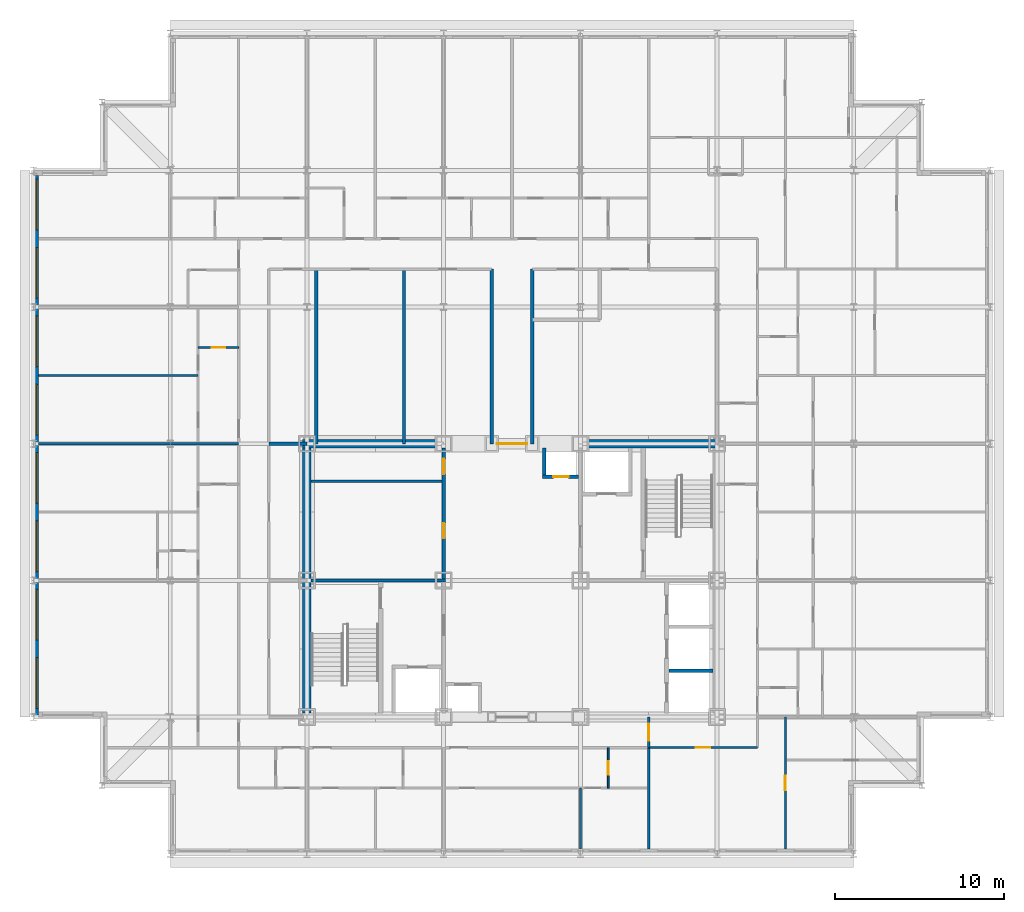
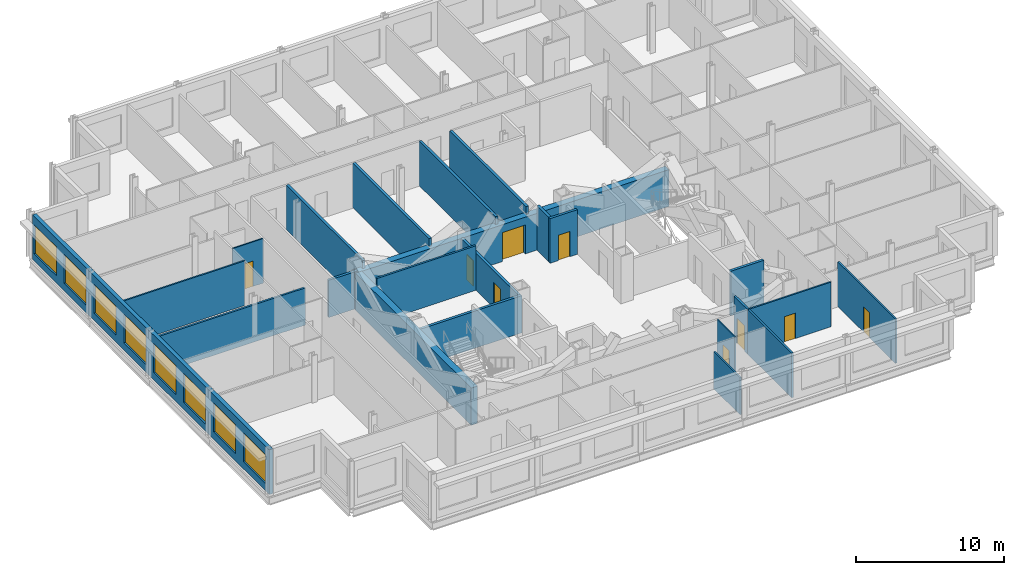
# One storey, part 9 of 15: 23 walls, 9 doors, 8 windows, 17 openings.
"""IFC4 building model written with IfcOpenShell, lengths in metres."""

import ifcopenshell
import ifcopenshell.guid

model = None  # the IFC model being written
_history = None  # IfcOwnerHistory: only IFC2X3 demands one
_inside = {}  # id of a spatial element -> (the spatial element, [elements in it])
_under = {}  # id of a project, library or spatial element -> (it, [spatial elements below it])
_declared = {}  # id of a project -> (the project, [libraries it declares])
_typed = {}  # id of a type object -> (the type object, [elements of that type])
_made_of = {}  # id of a material, layer set ... -> (it, [elements and type objects made of it])


def new_model(schema):
    """Start an empty IFC model of exactly this schema.

    Asked for "IFC4X3", IfcOpenShell would pick the latest addendum, in which some entities
    have other attributes; the version numbers below select the first issue.
    IFC2X3 requires an IfcOwnerHistory on every rooted entity: one is made here for all.
    """
    global model, _history
    if schema == "IFC4X3":
        model = ifcopenshell.file(schema_version=(4, 3, 0, 0))
    else:
        model = ifcopenshell.file(schema=schema)
    _inside.clear()
    _under.clear()
    _declared.clear()
    _typed.clear()
    _made_of.clear()
    _history = None
    if model.schema == "IFC2X3":
        org = make("IfcOrganization", Name="unknown")
        user = make(
            "IfcPersonAndOrganization",
            ThePerson=make("IfcPerson", FamilyName="unknown"),
            TheOrganization=org,
        )
        app = make(
            "IfcApplication",
            ApplicationDeveloper=org,
            Version="unknown",
            ApplicationFullName="unknown",
            ApplicationIdentifier="unknown",
        )
        _history = make(
            "IfcOwnerHistory",
            OwningUser=user,
            OwningApplication=app,
            ChangeAction="ADDED",
            CreationDate=0,
        )
    return model


def make(cls, **values):
    """One entity of the class cls with the attributes given. An attribute that is None is left unset."""
    return model.create_entity(
        cls, **{name: value for name, value in values.items() if value is not None}
    )


def rooted(cls, **values):
    """An entity with a GlobalId (a new one), such as an element, a storey or a relation."""
    return make(cls, GlobalId=ifcopenshell.guid.new(), OwnerHistory=_history, **values)


def si_unit(unit_type, name, prefix=None):
    """IfcSIUnit, for example si_unit("LENGTHUNIT", "METRE", prefix="MILLI")."""
    return make("IfcSIUnit", UnitType=unit_type, Prefix=prefix, Name=name)


def assignment(units):
    """IfcUnitAssignment: the units of a project."""
    return None if units is None else make("IfcUnitAssignment", Units=units)


def point(xyz):
    """IfcCartesianPoint."""
    return None if xyz is None else make("IfcCartesianPoint", Coordinates=xyz)


def direction(xyz):
    """IfcDirection."""
    return None if xyz is None else make("IfcDirection", DirectionRatios=xyz)


def frame(location, z_axis=None, x_axis=None):
    """IfcAxis2Placement3D, a coordinate frame: its origin and axes. An axis left out is left unset."""
    return make(
        "IfcAxis2Placement3D",
        Location=point(location),
        Axis=direction(z_axis),
        RefDirection=direction(x_axis),
    )


def frame_2d(location, x_axis=None):
    """IfcAxis2Placement2D, a coordinate frame in the plane: its origin and x axis."""
    return make(
        "IfcAxis2Placement2D", Location=point(location), RefDirection=direction(x_axis)
    )


def origin():
    """The frame at (0, 0, 0) with its axes left unset."""
    return frame((0.0, 0.0, 0.0))


def place(relative_to, where):
    """IfcLocalPlacement: puts the frame where relative to a parent placement (None: the world)."""
    return make(
        "IfcLocalPlacement", PlacementRelTo=relative_to, RelativePlacement=where
    )


def context(
    kind, dimensions, precision=None, world=None, true_north=None, identifier=None
):
    """IfcGeometricRepresentationContext, for example the 3D "Model" context."""
    return make(
        "IfcGeometricRepresentationContext",
        ContextIdentifier=identifier,
        ContextType=kind,
        CoordinateSpaceDimension=dimensions,
        Precision=precision,
        WorldCoordinateSystem=world,
        TrueNorth=true_north,
    )


def subcontext(parent, identifier, kind, view, scale=None):
    """IfcGeometricRepresentationSubContext, for example "Body" below "Model"."""
    return make(
        "IfcGeometricRepresentationSubContext",
        ContextIdentifier=identifier,
        ContextType=kind,
        ParentContext=parent,
        TargetScale=scale,
        TargetView=view,
    )


def project(units=None, contexts=None):
    """IfcProject with its units and contexts."""
    return rooted(
        "IfcProject",
        Name="project",
        RepresentationContexts=contexts,
        UnitsInContext=assignment(units),
    )


def spatial(cls, under=None, at=None, **own):
    """A site, building, storey or space (cls), placed at a placement, below another one or the project."""
    s = rooted(cls, ObjectPlacement=at, **own)
    if under is not None:
        _under.setdefault(under.id(), (under, []))[1].append(s)
    return s


def profile(cls, at=None, kind="AREA", **sizes):
    """A parametric profile (cls). Its sizes go by their IFC names, for example OverallWidth=200.0."""
    return make(cls, ProfileType=kind, Position=at, **sizes)


def rectangle(**sizes):
    """IfcRectangleProfileDef."""
    return profile("IfcRectangleProfileDef", **sizes)


def extrude(swept, where, along, depth):
    """IfcExtrudedAreaSolid: the profile swept, set in the frame where, extruded along a direction by depth."""
    return make(
        "IfcExtrudedAreaSolid",
        SweptArea=swept,
        Position=where,
        ExtrudedDirection=direction(along),
        Depth=depth,
    )


def shape(context_of_items, identifier, shape_type, items):
    """IfcShapeRepresentation: the items that make up one representation, for example the "Body"."""
    return make(
        "IfcShapeRepresentation",
        ContextOfItems=context_of_items,
        RepresentationIdentifier=identifier,
        RepresentationType=shape_type,
        Items=items,
    )


def material(Name=None, Category=None):
    """IfcMaterial."""
    return make("IfcMaterial", Name=Name, Category=Category)


def layer(
    of_material, thickness, ventilated=None, Name=None, Category=None, Priority=None
):
    """IfcMaterialLayer: one layer of a wall or slab, of a material (None: an air gap)."""
    return make(
        "IfcMaterialLayer",
        Material=of_material,
        LayerThickness=thickness,
        IsVentilated=ventilated,
        Name=Name,
        Category=Category,
        Priority=Priority,
    )


def layer_set(layers, Name=None):
    """IfcMaterialLayerSet."""
    return make("IfcMaterialLayerSet", MaterialLayers=layers, LayerSetName=Name)


def made_of(thing, what):
    """Note that an element or type object is made of a material, layer set ...; save() writes the relation."""
    if what is not None:
        _made_of.setdefault(what.id(), (what, []))[1].append(thing)
    return thing


def type_object(cls, material=None, **own):
    """A type object (cls), such as IfcWallType, which elements share."""
    return made_of(rooted(cls, **own), material)


def element(
    cls,
    number,
    at=None,
    inside=None,
    cuts=None,
    type_object=None,
    material=None,
    context=None,
    identifier="Body",
    shape_type=None,
    held_by="IfcProductDefinitionShape",
    body=None,
    shapes=None,
    **own,
):
    """One element of the class cls, such as IfcWall. Its Tag is "e" and its number.

    at: its placement. inside: the storey or other place that contains it. cuts: it is an
    opening in that element (IfcRelVoidsElement). A single representation is given by context,
    identifier, shape_type and body (its items); several are given by shapes. held_by: the class
    of the entity that holds the representations. save() writes the other relations.
    """
    e = rooted(cls, Tag="e%d" % number, ObjectPlacement=at, **own)
    if body is not None:
        shapes = [shape(context, identifier, shape_type, body)]
    if shapes is not None:
        e.Representation = make(held_by, Representations=shapes)
    if inside is not None:
        _inside.setdefault(inside.id(), (inside, []))[1].append(e)
    if cuts is not None:
        rooted(
            "IfcRelVoidsElement", RelatingBuildingElement=cuts, RelatedOpeningElement=e
        )
    if type_object is not None:
        _typed.setdefault(type_object.id(), (type_object, []))[1].append(e)
    return made_of(e, material)


def fill(opening, filler):
    """IfcRelFillsElement: the door or window that sits in an opening."""
    return rooted(
        "IfcRelFillsElement",
        RelatingOpeningElement=opening,
        RelatedBuildingElement=filler,
    )


def aggregate(whole, parts):
    """IfcRelAggregates: a whole, such as a stair, and the parts it consists of."""
    return rooted("IfcRelAggregates", RelatingObject=whole, RelatedObjects=parts)


def save(model, path):
    """Write the relations noted so far, then the file.

    IfcRelAggregates (storeys below a building ...), IfcRelContainedInSpatialStructure (elements
    in a storey), IfcRelDefinesByType, IfcRelAssociatesMaterial and IfcRelDeclares: one each for
    every whole, place, type object, material and project.
    """
    for whole, parts in _under.values():
        aggregate(whole, parts)
    for where, things in _inside.values():
        rooted(
            "IfcRelContainedInSpatialStructure",
            RelatedElements=things,
            RelatingStructure=where,
        )
    for kind, things in _typed.values():
        rooted("IfcRelDefinesByType", RelatedObjects=things, RelatingType=kind)
    for what, things in _made_of.values():
        rooted("IfcRelAssociatesMaterial", RelatedObjects=things, RelatingMaterial=what)
    for by, libraries in _declared.values():
        rooted("IfcRelDeclares", RelatingContext=by, RelatedDefinitions=libraries)
    model.write(path)


model = new_model("IFC4")

# Units and contexts
model_context = context("Model", 3, precision=1e-05, world=origin(), true_north=direction((0.0, 1.0)))
body_context = subcontext(model_context, "Body", "Model", "MODEL_VIEW")
ifc_project = project(units=[si_unit("LENGTHUNIT", "METRE"), si_unit("AREAUNIT", "SQUARE_METRE"), si_unit("VOLUMEUNIT", "CUBIC_METRE"), si_unit("PLANEANGLEUNIT", "RADIAN"), si_unit("MASSUNIT", "GRAM", prefix="KILO")], contexts=[model_context])

# Site, building, storey
site_placement = place(None, origin())
site = spatial("IfcSite", under=ifc_project, at=site_placement, CompositionType="ELEMENT")
building_placement = place(site_placement, origin())
building = spatial("IfcBuilding", under=site, at=building_placement, Name="Kopane Lantern Tower", CompositionType="ELEMENT")
storey_placement = place(building_placement, frame((0.0, 0.0, 273.60009765625)))
storey = spatial("IfcBuildingStorey", under=building, at=storey_placement, Name="L70", CompositionType="ELEMENT", Elevation=273.60009765625)

# Walls
ifc_material_1 = material(Name="Gypsum board on steel studs", Category="steel")
ifc_layer_1 = layer(ifc_material_1, 0.1201171875)
ifc_layer_set_1 = layer_set([ifc_layer_1], Name="APARTMENT INTERNAL WALL 120")
wall_type_1 = type_object("IfcWallType", Name="APARTMENT INTERNAL WALL 120", PredefinedType="PARTITIONING", material=ifc_layer_set_1)
wall_1_placement = place(storey_placement, frame((32.39990234375, 20.10009765625, 0.0), z_axis=(0.0, 0.0, 1.0), x_axis=(0.0, -1.0, 0.0)))
element("IfcWall", 1, at=wall_1_placement, inside=storey, type_object=wall_type_1, Name="Apartment Internal Wall 120 L70", PredefinedType="PARTITIONING", context=body_context, shape_type="SweptSolid", body=[
    extrude(rectangle(XDim=3.60009765625, YDim=0.1201171875, at=frame_2d((1.800048828125, 0.0))), origin(), (0.0, 0.0, 1.0), 3.07763671875),
])
wall_2_placement = place(storey_placement, frame((9.75, 44.550048828125, 0.0), z_axis=(0.0, 0.0, 1.0), x_axis=(-1.0, 0.0, 0.0)))
element("IfcWall", 2, at=wall_2_placement, inside=storey, type_object=wall_type_1, Name="Apartment Internal Wall 120 L70", PredefinedType="PARTITIONING", context=body_context, shape_type="SweptSolid", body=[
    extrude(rectangle(XDim=9.449951171875, YDim=0.1201171875, at=frame_2d((4.72509765625, 0.0))), origin(), (0.0, 0.0, 1.0), 3.68994140625),
])

# Wall, opening, door
wall_3_placement = place(storey_placement, frame((36.449951171875, 22.5, 0.0), z_axis=(0.0, 0.0, 1.0), x_axis=(1.0, 0.0, 0.0)))
wall_3 = element("IfcWall", 3, at=wall_3_placement, inside=storey, type_object=wall_type_1, Name="Apartment Internal Wall 120 L70", PredefinedType="PARTITIONING", context=body_context, shape_type="SweptSolid", body=[
    extrude(rectangle(XDim=6.449951171875, YDim=0.1201171875, at=frame_2d((3.22509765625, 0.0))), origin(), (0.0, 0.0, 1.0), 3.68994140625),
])
opening_1_placement = place(wall_3_placement, frame((2.800048828125, 0.0, 0.0)))
opening_1 = element("IfcOpeningElement", 4, at=opening_1_placement, cuts=wall_3, Name="Opening L70-047", PredefinedType="OPENING", context=body_context, shape_type="SweptSolid", body=[
    extrude(rectangle(XDim=0.85009765625, YDim=2.10009765625, at=frame_2d((0.425048828125, 1.050048828125))), frame((0.0, 0.070068359375, 0.0), z_axis=(0.0, -1.0, 0.0), x_axis=(1.0, 0.0, 0.0)), (0.0, 0.0, 1.0), 0.14013671875),
])
ifc_material_2 = material(Name="Timber door set", Category="wood")
door_type_1 = type_object("IfcDoorType", Name="DOOR D4 850x2100", OperationType="SINGLE_SWING_LEFT", PredefinedType="DOOR", material=ifc_material_2)
door_1_placement = place(opening_1_placement, origin())
door_1 = element("IfcDoor", 5, at=door_1_placement, inside=storey, type_object=door_type_1, Name="Door L70-047", OperationType="SINGLE_SWING_RIGHT", OverallHeight=2.10009765625, OverallWidth=0.85009765625, PredefinedType="DOOR", context=body_context, shape_type="SweptSolid", body=[
    extrude(rectangle(XDim=0.85009765625, YDim=2.10009765625, at=frame_2d((0.425048828125, 1.050048828125))), frame((0.0, 0.02490234375, 0.0), z_axis=(0.0, -1.0, 0.0), x_axis=(1.0, 0.0, 0.0)), (0.0, 0.0, 1.0), 0.050048828125),
])
fill(opening_1, door_1)

wall_4_placement = place(storey_placement, frame((44.550048828125, 16.5, 0.0), z_axis=(0.0, 0.0, 1.0), x_axis=(0.0, 1.0, 0.0)))
wall_4 = element("IfcWall", 6, at=wall_4_placement, inside=storey, type_object=wall_type_1, Name="Apartment Internal Wall 120 L70", PredefinedType="PARTITIONING", context=body_context, shape_type="SweptSolid", body=[
    extrude(rectangle(XDim=7.800048828125, YDim=0.1201171875, at=frame_2d((3.89990234375, 0.0))), origin(), (0.0, 0.0, 1.0), 3.68994140625),
])
opening_2_placement = place(wall_4_placement, frame((3.47509765625, 0.0, 0.0)))
opening_2 = element("IfcOpeningElement", 7, at=opening_2_placement, cuts=wall_4, Name="Opening L70-048", PredefinedType="OPENING", context=body_context, shape_type="SweptSolid", body=[
    extrude(rectangle(XDim=0.85009765625, YDim=2.10009765625, at=frame_2d((0.425048828125, 1.050048828125))), frame((0.0, 0.070068359375, 0.0), z_axis=(0.0, -1.0, 0.0), x_axis=(1.0, 0.0, 0.0)), (0.0, 0.0, 1.0), 0.14013671875),
])
door_2_placement = place(opening_2_placement, origin())
door_2 = element("IfcDoor", 8, at=door_2_placement, inside=storey, type_object=door_type_1, Name="Door L70-048", OperationType="SINGLE_SWING_LEFT", OverallHeight=2.10009765625, OverallWidth=0.85009765625, PredefinedType="DOOR", context=body_context, shape_type="SweptSolid", body=[
    extrude(rectangle(XDim=0.85009765625, YDim=2.10009765625, at=frame_2d((0.425048828125, 1.050048828125))), frame((0.0, 0.02490234375, 0.0), z_axis=(0.0, -1.0, 0.0), x_axis=(1.0, 0.0, 0.0)), (0.0, 0.0, 1.0), 0.050048828125),
])
fill(opening_2, door_2)

ifc_material_3 = material(Name="Moisture-resistant board on steel studs", Category="steel")
ifc_layer_2 = layer(ifc_material_3, 0.10009765625)
ifc_layer_set_2 = layer_set([ifc_layer_2], Name="BATHROOM WALL 100")
wall_type_2 = type_object("IfcWallType", Name="BATHROOM WALL 100", PredefinedType="PARTITIONING", material=ifc_layer_set_2)
wall_5_placement = place(storey_placement, frame((34.050048828125, 22.5, 0.0), z_axis=(0.0, 0.0, 1.0), x_axis=(0.0, -1.0, 0.0)))
wall_5 = element("IfcWall", 9, at=wall_5_placement, inside=storey, type_object=wall_type_2, Name="Bathroom Wall 100 L70", PredefinedType="PARTITIONING", context=body_context, shape_type="SweptSolid", body=[
    extrude(rectangle(XDim=2.39990234375, YDim=0.10009765625, at=frame_2d((1.199951171875, 0.0))), origin(), (0.0, 0.0, 1.0), 3.68994140625),
])
opening_3_placement = place(wall_5_placement, frame((0.800048828125, 0.0, 0.0)))
opening_3 = element("IfcOpeningElement", 10, at=opening_3_placement, cuts=wall_5, Name="Opening L70-012", PredefinedType="OPENING", context=body_context, shape_type="SweptSolid", body=[
    extrude(rectangle(XDim=0.800048828125, YDim=2.10009765625, at=frame_2d((0.39990234375, 1.050048828125))), frame((0.0, 0.06005859375, 0.0), z_axis=(0.0, -1.0, 0.0), x_axis=(1.0, 0.0, 0.0)), (0.0, 0.0, 1.0), 0.1201171875),
])
ifc_material_4 = material(Name="Timber door set", Category="wood")
door_type_2 = type_object("IfcDoorType", Name="DOOR D2 800x2100", OperationType="SINGLE_SWING_LEFT", PredefinedType="DOOR", material=ifc_material_4)
door_3_placement = place(opening_3_placement, origin())
door_3 = element("IfcDoor", 11, at=door_3_placement, inside=storey, type_object=door_type_2, Name="Door L70-012", OperationType="SINGLE_SWING_LEFT", OverallHeight=2.10009765625, OverallWidth=0.800048828125, PredefinedType="DOOR", context=body_context, shape_type="SweptSolid", body=[
    extrude(rectangle(XDim=0.800048828125, YDim=2.10009765625, at=frame_2d((0.39990234375, 1.050048828125))), frame((0.0, 0.02490234375, 0.0), z_axis=(0.0, -1.0, 0.0), x_axis=(1.0, 0.0, 0.0)), (0.0, 0.0, 1.0), 0.050048828125),
])
fill(opening_3, door_3)

wall_6_placement = place(storey_placement, frame((12.14990234375, 46.199951171875, 0.0), z_axis=(0.0, 0.0, 1.0), x_axis=(-1.0, 0.0, 0.0)))
wall_6 = element("IfcWall", 12, at=wall_6_placement, inside=storey, type_object=wall_type_2, Name="Bathroom Wall 100 L70", PredefinedType="PARTITIONING", context=body_context, shape_type="SweptSolid", body=[
    extrude(rectangle(XDim=2.39990234375, YDim=0.10009765625, at=frame_2d((1.199951171875, 0.0))), origin(), (0.0, 0.0, 1.0), 3.68994140625),
])
opening_4_placement = place(wall_6_placement, frame((0.800048828125, 0.0, 0.0)))
opening_4 = element("IfcOpeningElement", 13, at=opening_4_placement, cuts=wall_6, Name="Opening L70-032", PredefinedType="OPENING", context=body_context, shape_type="SweptSolid", body=[
    extrude(rectangle(XDim=0.800048828125, YDim=2.10009765625, at=frame_2d((0.39990234375, 1.050048828125))), frame((0.0, 0.06005859375, 0.0), z_axis=(0.0, -1.0, 0.0), x_axis=(1.0, 0.0, 0.0)), (0.0, 0.0, 1.0), 0.1201171875),
])
door_4_placement = place(opening_4_placement, origin())
door_4 = element("IfcDoor", 14, at=door_4_placement, inside=storey, type_object=door_type_2, Name="Door L70-032", OperationType="SINGLE_SWING_RIGHT", OverallHeight=2.10009765625, OverallWidth=0.800048828125, PredefinedType="DOOR", context=body_context, shape_type="SweptSolid", body=[
    extrude(rectangle(XDim=0.800048828125, YDim=2.10009765625, at=frame_2d((0.39990234375, 1.050048828125))), frame((0.0, 0.02490234375, 0.0), z_axis=(0.0, -1.0, 0.0), x_axis=(1.0, 0.0, 0.0)), (0.0, 0.0, 1.0), 0.050048828125),
])
fill(opening_4, door_4)

ifc_material_5 = material(Name="Gypsum shaft wall EI 120", Category="gypsum")
ifc_layer_3 = layer(ifc_material_5, 0.5)
ifc_layer_set_3 = layer_set([ifc_layer_3], Name="CORE PERIMETER WALL 500 EI 120")
wall_type_3 = type_object("IfcWallType", Name="CORE PERIMETER WALL 500 EI 120", PredefinedType="SOLIDWALL", material=ifc_layer_set_3)
wall_7_placement = place(storey_placement, frame((15.949951171875, 40.5, 0.0), z_axis=(0.0, 0.0, 1.0), x_axis=(1.0, 0.0, 0.0)))
wall_7 = element("IfcWall", 15, at=wall_7_placement, inside=storey, type_object=wall_type_3, Name="Core shaft wall L70 PN", PredefinedType="SOLIDWALL", context=body_context, shape_type="SweptSolid", body=[
    extrude(rectangle(XDim=24.550048828125, YDim=0.5, at=frame_2d((12.27490234375, 0.0))), origin(), (0.0, 0.0, 1.0), 3.039794921875),
])
opening_5_placement = place(wall_7_placement, frame((11.5, 0.0, 0.0)))
opening_5 = element("IfcOpeningElement", 16, at=opening_5_placement, cuts=wall_7, Name="Opening 70.CE-N", PredefinedType="OPENING", context=body_context, shape_type="SweptSolid", body=[
    extrude(rectangle(XDim=1.800048828125, YDim=2.39990234375, at=frame_2d((0.89990234375, 1.199951171875))), frame((0.0, 0.260009765625, 0.0), z_axis=(0.0, -1.0, 0.0), x_axis=(1.0, 0.0, 0.0)), (0.0, 0.0, 1.0), 0.52001953125),
])
ifc_material_6 = material(Name="Steel door set", Category="steel")
door_type_3 = type_object("IfcDoorType", Name="CORE ENTRY DOOR 1800x2400 FD60S", OperationType="DOUBLE_DOOR_SINGLE_SWING", PredefinedType="DOOR", material=ifc_material_6)
door_5_placement = place(opening_5_placement, origin())
door_5 = element("IfcDoor", 17, at=door_5_placement, inside=storey, type_object=door_type_3, Name="Core entry door L70 north", OperationType="DOUBLE_DOOR_SINGLE_SWING", OverallHeight=2.39990234375, OverallWidth=1.800048828125, PredefinedType="DOOR", context=body_context, shape_type="SweptSolid", body=[
    extrude(rectangle(XDim=1.800048828125, YDim=2.39990234375, at=frame_2d((0.89990234375, 1.199951171875))), frame((0.0, 0.02490234375, 0.0), z_axis=(0.0, -1.0, 0.0), x_axis=(1.0, 0.0, 0.0)), (0.0, 0.0, 1.0), 0.050048828125),
])
fill(opening_5, door_5)

# Walls
wall_8_placement = place(storey_placement, frame((16.199951171875, 24.550048828125, 0.0), z_axis=(0.0, 0.0, 1.0), x_axis=(0.0, 1.0, 0.0)))
element("IfcWall", 18, at=wall_8_placement, inside=storey, type_object=wall_type_3, Name="Core shaft wall L70 PW", PredefinedType="SOLIDWALL", context=body_context, shape_type="SweptSolid", body=[
    extrude(rectangle(XDim=15.699951171875, YDim=0.5, at=frame_2d((7.85009765625, 0.0))), origin(), (0.0, 0.0, 1.0), 3.07763671875),
])
ifc_material_7 = material(Name="Gypsum partition EI 60", Category="gypsum")
ifc_layer_4 = layer(ifc_material_7, 0.14990234375)
ifc_layer_set_4 = layer_set([ifc_layer_4], Name="CORE ROOM PARTITION 150 EI 60")
wall_type_4 = type_object("IfcWallType", Name="CORE ROOM PARTITION 150 EI 60", PredefinedType="PARTITIONING", material=ifc_layer_set_4)
wall_9_placement = place(storey_placement, frame((16.449951171875, 38.27490234375, 0.0), z_axis=(0.0, 0.0, 1.0), x_axis=(1.0, 0.0, 0.0)))
element("IfcWall", 19, at=wall_9_placement, inside=storey, type_object=wall_type_4, Name="Core room partition L70 WW1", PredefinedType="PARTITIONING", context=body_context, shape_type="SweptSolid", body=[
    extrude(rectangle(XDim=7.75, YDim=0.14990234375, at=frame_2d((3.875, 0.0))), origin(), (0.0, 0.0, 1.0), 3.68994140625),
])

# Wall, openings, doors
ifc_material_8 = material(Name="Gypsum partition EI 60", Category="gypsum")
ifc_layer_5 = layer(ifc_material_8, 0.199951171875)
ifc_layer_set_5 = layer_set([ifc_layer_5], Name="CORE ROOM WALL 200 EI 60")
wall_type_5 = type_object("IfcWallType", Name="CORE ROOM WALL 200 EI 60", PredefinedType="PARTITIONING", material=ifc_layer_set_5)
wall_10_placement = place(storey_placement, frame((24.300048828125, 32.5, 0.0), z_axis=(0.0, 0.0, 1.0), x_axis=(0.0, 1.0, 0.0)))
wall_10 = element("IfcWall", 20, at=wall_10_placement, inside=storey, type_object=wall_type_5, Name="Core room wall L70 XW", PredefinedType="PARTITIONING", context=body_context, shape_type="SweptSolid", body=[
    extrude(rectangle(XDim=7.75, YDim=0.199951171875, at=frame_2d((3.875, 0.0))), origin(), (0.0, 0.0, 1.0), 3.07763671875),
])
opening_6_placement = place(wall_10_placement, frame((2.39990234375, 0.0, 0.0)))
opening_6 = element("IfcOpeningElement", 21, at=opening_6_placement, cuts=wall_10, Name="Opening 70.C30", PredefinedType="OPENING", context=body_context, shape_type="SweptSolid", body=[
    extrude(rectangle(XDim=0.89990234375, YDim=2.10009765625, at=frame_2d((0.449951171875, 1.050048828125))), frame((0.0, 0.10986328125, 0.0), z_axis=(0.0, -1.0, 0.0), x_axis=(1.0, 0.0, 0.0)), (0.0, 0.0, 1.0), 0.219970703125),
])
opening_7_placement = place(wall_10_placement, frame((6.199951171875, 0.0, 0.0)))
opening_7 = element("IfcOpeningElement", 22, at=opening_7_placement, cuts=wall_10, Name="Opening 70.C31", PredefinedType="OPENING", context=body_context, shape_type="SweptSolid", body=[
    extrude(rectangle(XDim=0.89990234375, YDim=2.10009765625, at=frame_2d((0.449951171875, 1.050048828125))), frame((0.0, 0.10986328125, 0.0), z_axis=(0.0, -1.0, 0.0), x_axis=(1.0, 0.0, 0.0)), (0.0, 0.0, 1.0), 0.219970703125),
])
ifc_material_9 = material(Name="Steel door set", Category="steel")
door_type_4 = type_object("IfcDoorType", Name="CORE ROOM DOOR 900x2100 FD60", OperationType="SINGLE_SWING_LEFT", PredefinedType="DOOR", material=ifc_material_9)
door_6_placement = place(opening_6_placement, origin())
door_6 = element("IfcDoor", 23, at=door_6_placement, inside=storey, type_object=door_type_4, Name="Door Residents storage L70", OperationType="SINGLE_SWING_LEFT", OverallHeight=2.10009765625, OverallWidth=0.89990234375, PredefinedType="DOOR", context=body_context, shape_type="SweptSolid", body=[
    extrude(rectangle(XDim=0.89990234375, YDim=2.10009765625, at=frame_2d((0.449951171875, 1.050048828125))), frame((0.0, 0.02490234375, 0.0), z_axis=(0.0, -1.0, 0.0), x_axis=(1.0, 0.0, 0.0)), (0.0, 0.0, 1.0), 0.050048828125),
])
fill(opening_6, door_6)
door_7_placement = place(opening_7_placement, origin())
door_7 = element("IfcDoor", 24, at=door_7_placement, inside=storey, type_object=door_type_4, Name="Door Refuse room L70", OperationType="SINGLE_SWING_LEFT", OverallHeight=2.10009765625, OverallWidth=0.89990234375, PredefinedType="DOOR", context=body_context, shape_type="SweptSolid", body=[
    extrude(rectangle(XDim=0.89990234375, YDim=2.10009765625, at=frame_2d((0.449951171875, 1.050048828125))), frame((0.0, 0.02490234375, 0.0), z_axis=(0.0, -1.0, 0.0), x_axis=(1.0, 0.0, 0.0)), (0.0, 0.0, 1.0), 0.050048828125),
])
fill(opening_7, door_7)

# Wall, opening, door
ifc_material_10 = material(Name="Gypsum board on steel studs", Category="steel")
ifc_layer_6 = layer(ifc_material_10, 0.14990234375)
ifc_layer_set_6 = layer_set([ifc_layer_6], Name="CORRIDOR WALL 150 EI 60")
wall_type_6 = type_object("IfcWallType", Name="CORRIDOR WALL 150 EI 60", PredefinedType="PARTITIONING", material=ifc_layer_set_6)
wall_11_placement = place(storey_placement, frame((36.449951171875, 22.5, 0.0), z_axis=(0.0, 0.0, 1.0), x_axis=(0.0, 1.0, 0.0)))
wall_11 = element("IfcWall", 25, at=wall_11_placement, inside=storey, type_object=wall_type_6, Name="Corridor Wall 150 Ei 60 L70", PredefinedType="PARTITIONING", context=body_context, shape_type="SweptSolid", body=[
    extrude(rectangle(XDim=1.800048828125, YDim=0.14990234375, at=frame_2d((0.89990234375, 0.0))), origin(), (0.0, 0.0, 1.0), 3.68994140625),
])
opening_8_placement = place(wall_11_placement, frame((0.39990234375, 0.0, 0.0)))
opening_8 = element("IfcOpeningElement", 26, at=opening_8_placement, cuts=wall_11, Name="Opening L70-045", PredefinedType="OPENING", context=body_context, shape_type="SweptSolid", body=[
    extrude(rectangle(XDim=1.0, YDim=2.10009765625, at=frame_2d((0.5, 1.050048828125))), frame((0.0, 0.0849609375, 0.0), z_axis=(0.0, -1.0, 0.0), x_axis=(1.0, 0.0, 0.0)), (0.0, 0.0, 1.0), 0.169921875),
])
ifc_material_11 = material(Name="Steel door set", Category="steel")
door_type_5 = type_object("IfcDoorType", Name="DOOR D3 1000x2100 FD30S", OperationType="SINGLE_SWING_LEFT", PredefinedType="DOOR", material=ifc_material_11)
door_8_placement = place(opening_8_placement, origin())
door_8 = element("IfcDoor", 27, at=door_8_placement, inside=storey, type_object=door_type_5, Name="Door L70-045", OperationType="SINGLE_SWING_RIGHT", OverallHeight=2.10009765625, OverallWidth=1.0, PredefinedType="DOOR", context=body_context, shape_type="SweptSolid", body=[
    extrude(rectangle(XDim=1.0, YDim=2.10009765625, at=frame_2d((0.5, 1.050048828125))), frame((0.0, 0.02490234375, 0.0), z_axis=(0.0, -1.0, 0.0), x_axis=(1.0, 0.0, 0.0)), (0.0, 0.0, 1.0), 0.050048828125),
])
fill(opening_8, door_8)

# Walls
ifc_material_12 = material(Name="Gypsum board on steel studs", Category="steel")
ifc_layer_7 = layer(ifc_material_12, 0.14990234375)
ifc_layer_set_7 = layer_set([ifc_layer_7], Name="DEMISING WALL 150 EI 60")
wall_type_7 = type_object("IfcWallType", Name="DEMISING WALL 150 EI 60", PredefinedType="PARTITIONING", material=ifc_layer_set_7)
wall_12_placement = place(storey_placement, frame((12.14990234375, 40.5, 0.0), z_axis=(0.0, 0.0, 1.0), x_axis=(-1.0, 0.0, 0.0)))
element("IfcWall", 28, at=wall_12_placement, inside=storey, type_object=wall_type_7, Name="Demising Wall 150 Ei 60 L70", PredefinedType="PARTITIONING", context=body_context, shape_type="SweptSolid", body=[
    extrude(rectangle(XDim=11.849853515625, YDim=0.14990234375, at=frame_2d((5.9248046875, 0.0))), origin(), (0.0, 0.0, 1.0), 3.07763671875),
])
wall_13_placement = place(storey_placement, frame((36.449951171875, 16.5, 0.0), z_axis=(0.0, 0.0, 1.0), x_axis=(0.0, 1.0, 0.0)))
element("IfcWall", 29, at=wall_13_placement, inside=storey, type_object=wall_type_7, Name="Demising Wall 150 Ei 60 L70", PredefinedType="PARTITIONING", context=body_context, shape_type="SweptSolid", body=[
    extrude(rectangle(XDim=6.0, YDim=0.14990234375, at=frame_2d((3.0, 0.0))), origin(), (0.0, 0.0, 1.0), 3.68994140625),
])

# Wall, openings, windows
ifc_material_13 = material(Name="Terracotta rainscreen on light steel framing", Category="masonry")
ifc_layer_8 = layer(ifc_material_13, 0.300048828125)
ifc_layer_set_8 = layer_set([ifc_layer_8], Name="EXTERNAL WALL EW1 300 TERRACOTTA")
wall_type_8 = type_object("IfcWallType", Name="EXTERNAL WALL EW1 300 TERRACOTTA", PredefinedType="SOLIDWALL", material=ifc_layer_set_8)
wall_14_placement = place(storey_placement, frame((0.14990234375, 56.39990234375, 0.0), z_axis=(0.0, 0.0, 1.0), x_axis=(0.0, -1.0, 0.0)))
wall_14 = element("IfcWall", 30, at=wall_14_placement, inside=storey, type_object=wall_type_8, Name="External wall W L70", PredefinedType="SOLIDWALL", context=body_context, shape_type="SweptSolid", body=[
    extrude(rectangle(XDim=32.099853515625, YDim=0.300048828125, at=frame_2d((16.0498046875, 0.0))), origin(), (0.0, 0.0, 1.0), 3.68994140625),
])
opening_9_placement = place(wall_14_placement, frame((0.22509765625, 0.0, 0.60009765625)))
opening_9 = element("IfcOpeningElement", 31, at=opening_9_placement, cuts=wall_14, Name="Opening WR300240", PredefinedType="OPENING", context=body_context, shape_type="SweptSolid", body=[
    extrude(rectangle(XDim=3.0, YDim=2.39990234375, at=frame_2d((1.5, 1.199951171875))), frame((0.0, 0.159912109375, 0.0), z_axis=(0.0, -1.0, 0.0), x_axis=(1.0, 0.0, 0.0)), (0.0, 0.0, 1.0), 0.320068359375),
])
opening_10_placement = place(wall_14_placement, frame((4.27490234375, 0.0, 0.60009765625)))
opening_10 = element("IfcOpeningElement", 32, at=opening_10_placement, cuts=wall_14, Name="Opening WR300240", PredefinedType="OPENING", context=body_context, shape_type="SweptSolid", body=[
    extrude(rectangle(XDim=3.0, YDim=2.39990234375, at=frame_2d((1.5, 1.199951171875))), frame((0.0, 0.159912109375, 0.0), z_axis=(0.0, -1.0, 0.0), x_axis=(1.0, 0.0, 0.0)), (0.0, 0.0, 1.0), 0.320068359375),
])
opening_11_placement = place(wall_14_placement, frame((8.324951171875, 0.0, 0.60009765625)))
opening_11 = element("IfcOpeningElement", 33, at=opening_11_placement, cuts=wall_14, Name="Opening WR300240", PredefinedType="OPENING", context=body_context, shape_type="SweptSolid", body=[
    extrude(rectangle(XDim=3.0, YDim=2.39990234375, at=frame_2d((1.5, 1.199951171875))), frame((0.0, 0.159912109375, 0.0), z_axis=(0.0, -1.0, 0.0), x_axis=(1.0, 0.0, 0.0)), (0.0, 0.0, 1.0), 0.320068359375),
])
opening_12_placement = place(wall_14_placement, frame((12.375, 0.0, 0.60009765625)))
opening_12 = element("IfcOpeningElement", 34, at=opening_12_placement, cuts=wall_14, Name="Opening WR300240", PredefinedType="OPENING", context=body_context, shape_type="SweptSolid", body=[
    extrude(rectangle(XDim=3.0, YDim=2.39990234375, at=frame_2d((1.5, 1.199951171875))), frame((0.0, 0.159912109375, 0.0), z_axis=(0.0, -1.0, 0.0), x_axis=(1.0, 0.0, 0.0)), (0.0, 0.0, 1.0), 0.320068359375),
])
opening_13_placement = place(wall_14_placement, frame((16.425048828125, 0.0, 0.60009765625)))
opening_13 = element("IfcOpeningElement", 35, at=opening_13_placement, cuts=wall_14, Name="Opening WR300240", PredefinedType="OPENING", context=body_context, shape_type="SweptSolid", body=[
    extrude(rectangle(XDim=3.0, YDim=2.39990234375, at=frame_2d((1.5, 1.199951171875))), frame((0.0, 0.159912109375, 0.0), z_axis=(0.0, -1.0, 0.0), x_axis=(1.0, 0.0, 0.0)), (0.0, 0.0, 1.0), 0.320068359375),
])
opening_14_placement = place(wall_14_placement, frame((20.47509765625, 0.0, 0.60009765625)))
opening_14 = element("IfcOpeningElement", 36, at=opening_14_placement, cuts=wall_14, Name="Opening WR300240", PredefinedType="OPENING", context=body_context, shape_type="SweptSolid", body=[
    extrude(rectangle(XDim=3.0, YDim=2.39990234375, at=frame_2d((1.5, 1.199951171875))), frame((0.0, 0.159912109375, 0.0), z_axis=(0.0, -1.0, 0.0), x_axis=(1.0, 0.0, 0.0)), (0.0, 0.0, 1.0), 0.320068359375),
])
opening_15_placement = place(wall_14_placement, frame((24.52490234375, 0.0, 0.60009765625)))
opening_15 = element("IfcOpeningElement", 37, at=opening_15_placement, cuts=wall_14, Name="Opening WR300240", PredefinedType="OPENING", context=body_context, shape_type="SweptSolid", body=[
    extrude(rectangle(XDim=3.0, YDim=2.39990234375, at=frame_2d((1.5, 1.199951171875))), frame((0.0, 0.159912109375, 0.0), z_axis=(0.0, -1.0, 0.0), x_axis=(1.0, 0.0, 0.0)), (0.0, 0.0, 1.0), 0.320068359375),
])
opening_16_placement = place(wall_14_placement, frame((28.574951171875, 0.0, 0.60009765625)))
opening_16 = element("IfcOpeningElement", 38, at=opening_16_placement, cuts=wall_14, Name="Opening WR300240", PredefinedType="OPENING", context=body_context, shape_type="SweptSolid", body=[
    extrude(rectangle(XDim=3.0, YDim=2.39990234375, at=frame_2d((1.5, 1.199951171875))), frame((0.0, 0.159912109375, 0.0), z_axis=(0.0, -1.0, 0.0), x_axis=(1.0, 0.0, 0.0)), (0.0, 0.0, 1.0), 0.320068359375),
])
ifc_material_14 = material(Name="Aluminium and clear glass", Category="aluminium")
window_type = type_object("IfcWindowType", Name="RIBBON WINDOW WR300240 3000x2400", PartitioningType="SINGLE_PANEL", PredefinedType="WINDOW", material=ifc_material_14)
window_1_placement = place(opening_9_placement, origin())
window_1 = element("IfcWindow", 39, at=window_1_placement, inside=storey, type_object=window_type, Name="Window W L70", OverallHeight=2.39990234375, OverallWidth=3.0, PartitioningType="SINGLE_PANEL", PredefinedType="WINDOW", context=body_context, shape_type="SweptSolid", body=[
    extrude(rectangle(XDim=3.0, YDim=2.39990234375, at=frame_2d((1.5, 1.199951171875))), frame((0.0, 0.030029296875, 0.0), z_axis=(0.0, -1.0, 0.0), x_axis=(1.0, 0.0, 0.0)), (0.0, 0.0, 1.0), 0.06005859375),
])
fill(opening_9, window_1)
window_2_placement = place(opening_10_placement, origin())
window_2 = element("IfcWindow", 40, at=window_2_placement, inside=storey, type_object=window_type, Name="Window W L70", OverallHeight=2.39990234375, OverallWidth=3.0, PartitioningType="SINGLE_PANEL", PredefinedType="WINDOW", context=body_context, shape_type="SweptSolid", body=[
    extrude(rectangle(XDim=3.0, YDim=2.39990234375, at=frame_2d((1.5, 1.199951171875))), frame((0.0, 0.030029296875, 0.0), z_axis=(0.0, -1.0, 0.0), x_axis=(1.0, 0.0, 0.0)), (0.0, 0.0, 1.0), 0.06005859375),
])
fill(opening_10, window_2)
window_3_placement = place(opening_11_placement, origin())
window_3 = element("IfcWindow", 41, at=window_3_placement, inside=storey, type_object=window_type, Name="Window W L70", OverallHeight=2.39990234375, OverallWidth=3.0, PartitioningType="SINGLE_PANEL", PredefinedType="WINDOW", context=body_context, shape_type="SweptSolid", body=[
    extrude(rectangle(XDim=3.0, YDim=2.39990234375, at=frame_2d((1.5, 1.199951171875))), frame((0.0, 0.030029296875, 0.0), z_axis=(0.0, -1.0, 0.0), x_axis=(1.0, 0.0, 0.0)), (0.0, 0.0, 1.0), 0.06005859375),
])
fill(opening_11, window_3)
window_4_placement = place(opening_12_placement, origin())
window_4 = element("IfcWindow", 42, at=window_4_placement, inside=storey, type_object=window_type, Name="Window W L70", OverallHeight=2.39990234375, OverallWidth=3.0, PartitioningType="SINGLE_PANEL", PredefinedType="WINDOW", context=body_context, shape_type="SweptSolid", body=[
    extrude(rectangle(XDim=3.0, YDim=2.39990234375, at=frame_2d((1.5, 1.199951171875))), frame((0.0, 0.030029296875, 0.0), z_axis=(0.0, -1.0, 0.0), x_axis=(1.0, 0.0, 0.0)), (0.0, 0.0, 1.0), 0.06005859375),
])
fill(opening_12, window_4)
window_5_placement = place(opening_13_placement, origin())
window_5 = element("IfcWindow", 43, at=window_5_placement, inside=storey, type_object=window_type, Name="Window W L70", OverallHeight=2.39990234375, OverallWidth=3.0, PartitioningType="SINGLE_PANEL", PredefinedType="WINDOW", context=body_context, shape_type="SweptSolid", body=[
    extrude(rectangle(XDim=3.0, YDim=2.39990234375, at=frame_2d((1.5, 1.199951171875))), frame((0.0, 0.030029296875, 0.0), z_axis=(0.0, -1.0, 0.0), x_axis=(1.0, 0.0, 0.0)), (0.0, 0.0, 1.0), 0.06005859375),
])
fill(opening_13, window_5)
window_6_placement = place(opening_14_placement, origin())
window_6 = element("IfcWindow", 44, at=window_6_placement, inside=storey, type_object=window_type, Name="Window W L70", OverallHeight=2.39990234375, OverallWidth=3.0, PartitioningType="SINGLE_PANEL", PredefinedType="WINDOW", context=body_context, shape_type="SweptSolid", body=[
    extrude(rectangle(XDim=3.0, YDim=2.39990234375, at=frame_2d((1.5, 1.199951171875))), frame((0.0, 0.030029296875, 0.0), z_axis=(0.0, -1.0, 0.0), x_axis=(1.0, 0.0, 0.0)), (0.0, 0.0, 1.0), 0.06005859375),
])
fill(opening_14, window_6)
window_7_placement = place(opening_15_placement, origin())
window_7 = element("IfcWindow", 45, at=window_7_placement, inside=storey, type_object=window_type, Name="Window W L70", OverallHeight=2.39990234375, OverallWidth=3.0, PartitioningType="SINGLE_PANEL", PredefinedType="WINDOW", context=body_context, shape_type="SweptSolid", body=[
    extrude(rectangle(XDim=3.0, YDim=2.39990234375, at=frame_2d((1.5, 1.199951171875))), frame((0.0, 0.030029296875, 0.0), z_axis=(0.0, -1.0, 0.0), x_axis=(1.0, 0.0, 0.0)), (0.0, 0.0, 1.0), 0.06005859375),
])
fill(opening_15, window_7)
window_8_placement = place(opening_16_placement, origin())
window_8 = element("IfcWindow", 46, at=window_8_placement, inside=storey, type_object=window_type, Name="Window W L70", OverallHeight=2.39990234375, OverallWidth=3.0, PartitioningType="SINGLE_PANEL", PredefinedType="WINDOW", context=body_context, shape_type="SweptSolid", body=[
    extrude(rectangle(XDim=3.0, YDim=2.39990234375, at=frame_2d((1.5, 1.199951171875))), frame((0.0, 0.030029296875, 0.0), z_axis=(0.0, -1.0, 0.0), x_axis=(1.0, 0.0, 0.0)), (0.0, 0.0, 1.0), 0.06005859375),
])
fill(opening_16, window_8)

# Walls
ifc_material_15 = material(Name="Concrete masonry", Category="masonry")
ifc_layer_9 = layer(ifc_material_15, 0.199951171875)
ifc_layer_set_9 = layer_set([ifc_layer_9], Name="PLANT ROOM WALL 200 EI 120")
wall_type_9 = type_object("IfcWallType", Name="PLANT ROOM WALL 200 EI 120", PredefinedType="SOLIDWALL", material=ifc_layer_set_9)
for number, where, z_axis, x_axis, name in (
    (47, (16.751953125, 50.85009765625, 0.0), (0.0, 0.0, 1.0), (0.0, -1.0, 0.0), "Plant Room Wall 200 Ei 120 L70"),
    (48, (21.950927734375, 50.85009765625, 0.0), (0.0, 0.0, 1.0), (0.0, -1.0, 0.0), "Plant Room Wall 200 Ei 120 L70"),
    (49, (27.14990234375, 40.5, 0.0), (0.0, 0.0, 1.0), (0.0, 1.0, 0.0), "Plant Room Wall 200 Ei 120 L70"),
    (50, (29.550048828125, 40.5, 0.0), (0.0, 0.0, 1.0), (0.0, 1.0, 0.0), "Plant Room Wall 200 Ei 120 L70"),
):
    element("IfcWall", number, at=place(storey_placement, frame(where, z_axis=z_axis, x_axis=x_axis)), inside=storey, type_object=wall_type_9, Name=name, PredefinedType="SOLIDWALL", context=body_context, shape_type="SweptSolid", body=[
        extrude(rectangle(XDim=10.35009765625, YDim=0.199951171875, at=frame_2d((5.175048828125, 0.0))), origin(), (0.0, 0.0, 1.0), 3.68994140625),
    ])
wall_15_placement = place(storey_placement, frame((13.949951171875, 40.5, 0.0), z_axis=(0.0, 0.0, 1.0), x_axis=(1.0, 0.0, 0.0)))
element("IfcWall", 51, at=wall_15_placement, inside=storey, type_object=wall_type_9, Name="Plant Room Wall 200 Ei 120 L70", PredefinedType="SOLIDWALL", context=body_context, shape_type="SweptSolid", body=[
    extrude(rectangle(XDim=2.25, YDim=0.199951171875, at=frame_2d((1.125, 0.0))), origin(), (0.0, 0.0, 1.0), 3.07763671875),
])
ifc_material_16 = material(Name="Gypsum shaft wall EI 120", Category="gypsum")
ifc_layer_10 = layer(ifc_material_16, 0.199951171875)
ifc_layer_set_10 = layer_set([ifc_layer_10], Name="SHAFT WALL 200 EI 120")
wall_type_10 = type_object("IfcWallType", Name="SHAFT WALL 200 EI 120", PredefinedType="SOLIDWALL", material=ifc_layer_set_10)
wall_16_placement = place(storey_placement, frame((16.449951171875, 32.39990234375, 0.0), z_axis=(0.0, 0.0, 1.0), x_axis=(1.0, 0.0, 0.0)))
element("IfcWall", 52, at=wall_16_placement, inside=storey, type_object=wall_type_10, Name="Core shaft wall L70 Y324W", PredefinedType="SOLIDWALL", context=body_context, shape_type="SweptSolid", body=[
    extrude(rectangle(XDim=7.949951171875, YDim=0.199951171875, at=frame_2d((3.97509765625, 0.0))), origin(), (0.0, 0.0, 1.0), 3.07763671875),
])
wall_17_placement = place(storey_placement, frame((37.64990234375, 27.050048828125, 0.0), z_axis=(0.0, 0.0, 1.0), x_axis=(1.0, 0.0, 0.0)))
element("IfcWall", 53, at=wall_17_placement, inside=storey, type_object=wall_type_10, Name="Core shaft wall L70 YLR12", PredefinedType="SOLIDWALL", context=body_context, shape_type="SweptSolid", body=[
    extrude(rectangle(XDim=2.60009765625, YDim=0.199951171875, at=frame_2d((1.300048828125, 0.0))), origin(), (0.0, 0.0, 1.0), 3.68994140625),
])
wall_18_placement = place(storey_placement, frame((30.25, 38.64990234375, 0.0), z_axis=(0.0, 0.0, 1.0), x_axis=(0.0, 1.0, 0.0)))
element("IfcWall", 54, at=wall_18_placement, inside=storey, type_object=wall_type_10, Name="Core shaft wall L70 XRS2", PredefinedType="SOLIDWALL", context=body_context, shape_type="SweptSolid", body=[
    extrude(rectangle(XDim=1.60009765625, YDim=0.199951171875, at=frame_2d((0.800048828125, 0.0))), origin(), (0.0, 0.0, 1.0), 3.68994140625),
])

# Wall, opening, door
wall_19_placement = place(storey_placement, frame((30.14990234375, 38.550048828125, 0.0), z_axis=(0.0, 0.0, 1.0), x_axis=(1.0, 0.0, 0.0)))
wall_19 = element("IfcWall", 55, at=wall_19_placement, inside=storey, type_object=wall_type_10, Name="Core shaft wall L70 YRS2", PredefinedType="SOLIDWALL", context=body_context, shape_type="SweptSolid", body=[
    extrude(rectangle(XDim=2.150146484375, YDim=0.199951171875, at=frame_2d((1.0751953125, 0.0))), origin(), (0.0, 0.0, 1.0), 3.68994140625),
])
opening_17_placement = place(wall_19_placement, frame((0.64990234375, 0.0, 0.0)))
opening_17 = element("IfcOpeningElement", 56, at=opening_17_placement, cuts=wall_19, Name="Opening 70.RS2", PredefinedType="OPENING", context=body_context, shape_type="SweptSolid", body=[
    extrude(rectangle(XDim=0.89990234375, YDim=2.10009765625, at=frame_2d((0.449951171875, 1.050048828125))), frame((0.0, 0.10986328125, 0.0), z_axis=(0.0, -1.0, 0.0), x_axis=(1.0, 0.0, 0.0)), (0.0, 0.0, 1.0), 0.219970703125),
])
ifc_material_17 = material(Name="Steel door set", Category="steel")
door_type_6 = type_object("IfcDoorType", Name="RISER ACCESS DOOR 900x2100 FD60", OperationType="SINGLE_SWING_LEFT", PredefinedType="DOOR", material=ifc_material_17)
door_9_placement = place(opening_17_placement, origin())
door_9 = element("IfcDoor", 57, at=door_9_placement, inside=storey, type_object=door_type_6, Name="Riser access door RS2 L70", OperationType="SINGLE_SWING_LEFT", OverallHeight=2.10009765625, OverallWidth=0.89990234375, PredefinedType="DOOR", context=body_context, shape_type="SweptSolid", body=[
    extrude(rectangle(XDim=0.89990234375, YDim=2.10009765625, at=frame_2d((0.449951171875, 1.050048828125))), frame((0.0, 0.02490234375, 0.0), z_axis=(0.0, -1.0, 0.0), x_axis=(1.0, 0.0, 0.0)), (0.0, 0.0, 1.0), 0.050048828125),
])
fill(opening_17, door_9)

save(model, "model.ifc")
